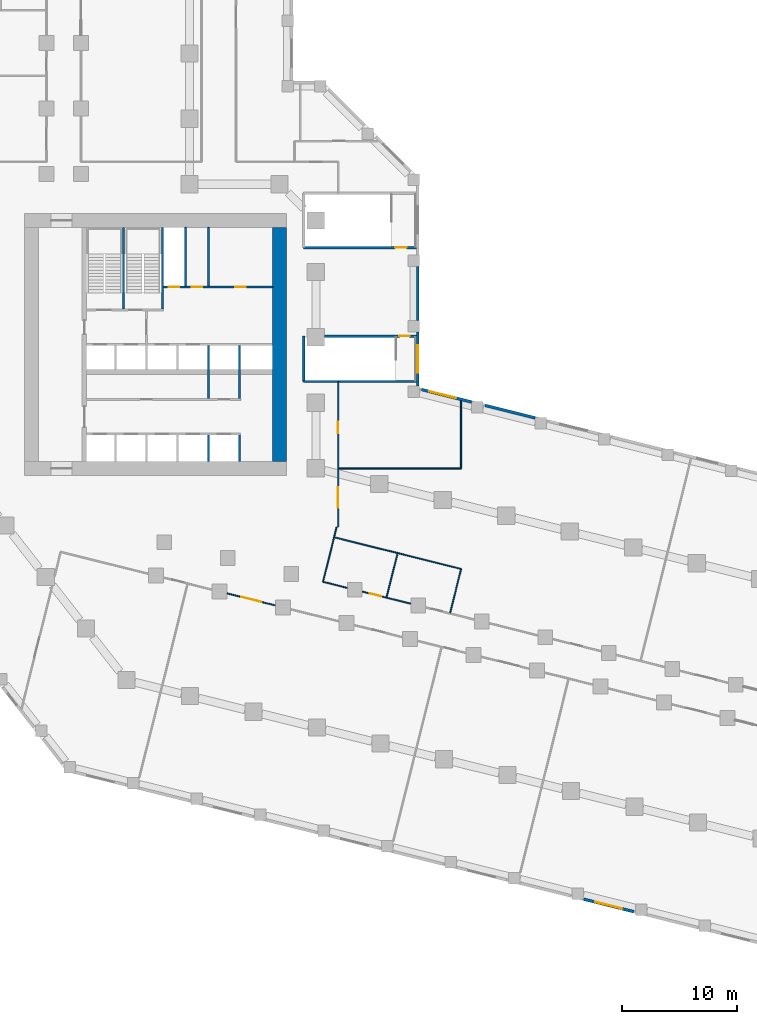
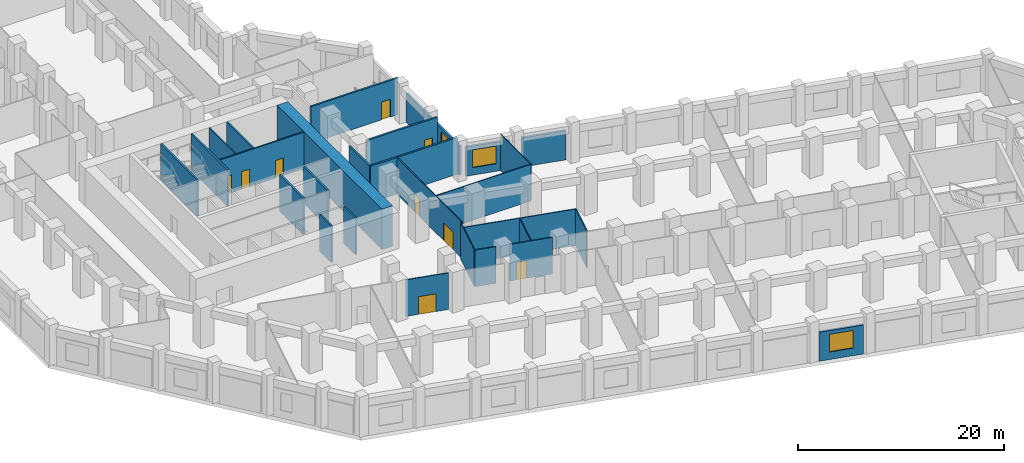
# One storey, part 6 of 13: 30 walls, 9 doors, 3 windows, 12 openings.
"""IFC4 building model written with IfcOpenShell, lengths in metres."""

from ifc_helpers import new_model, si_unit, direction, frame, frame_2d, origin, place, context, subcontext, project, spatial, rectangle, extrude, material, layer, layer_set, type_object, element, fill, save


model = new_model("IFC4")

# Units and contexts
model_context = context("Model", 3, precision=1e-05, world=origin(), true_north=direction((0.0, 1.0)))
body_context = subcontext(model_context, "Body", "Model", "MODEL_VIEW")
ifc_project = project(units=[si_unit("LENGTHUNIT", "METRE"), si_unit("AREAUNIT", "SQUARE_METRE"), si_unit("VOLUMEUNIT", "CUBIC_METRE"), si_unit("PLANEANGLEUNIT", "RADIAN"), si_unit("MASSUNIT", "GRAM", prefix="KILO")], contexts=[model_context])

# Site, building, storey
site_placement = place(None, origin())
site = spatial("IfcSite", under=ifc_project, at=site_placement, CompositionType="ELEMENT")
building_placement = place(site_placement, origin())
building = spatial("IfcBuilding", under=site, at=building_placement, Name="Meshkara Civic Tower", CompositionType="ELEMENT")
storey_placement = place(building_placement, frame((0.0, 0.0, 28.199951171875)))
storey = spatial("IfcBuildingStorey", under=building, at=storey_placement, Name="L05", CompositionType="ELEMENT", Elevation=28.199951171875)

# Wall, openings, doors
ifc_material_1 = material(Name="Blockwork", Category="masonry")
ifc_layer_1 = layer(ifc_material_1, 0.14990234375)
ifc_layer_set_1 = layer_set([ifc_layer_1], Name="Core partition 150")
wall_type_1 = type_object("IfcWallType", Name="Core partition 150", PredefinedType="PARTITIONING", material=ifc_layer_set_1)
wall_1_placement = place(storey_placement, frame((20.10009765625, 30.5, 0.0), z_axis=(0.0, 0.0, 1.0), x_axis=(1.0, 0.0, 0.0)))
wall_1 = element("IfcWall", 1, at=wall_1_placement, inside=storey, type_object=wall_type_1, Name="L05-C010", PredefinedType="PARTITIONING", context=body_context, shape_type="SweptSolid", body=[
    extrude(rectangle(XDim=9.5, YDim=0.14990234375, at=frame_2d((4.75, 0.0))), origin(), (0.0, 0.0, 1.0), 4.35009765625),
])
opening_1_placement = place(wall_1_placement, frame((0.449951171875, 0.0, 0.0)))
opening_1 = element("IfcOpeningElement", 2, at=opening_1_placement, cuts=wall_1, Name="Opening L05-K012", PredefinedType="OPENING", context=body_context, shape_type="SweptSolid", body=[
    extrude(rectangle(XDim=0.89990234375, YDim=2.10009765625, at=frame_2d((0.449951171875, 1.050048828125))), frame((0.0, 0.0849609375, 0.0), z_axis=(0.0, -1.0, 0.0), x_axis=(1.0, 0.0, 0.0)), (0.0, 0.0, 1.0), 0.169921875),
])
opening_2_placement = place(wall_1_placement, frame((2.449951171875, 0.0, 0.0)))
opening_2 = element("IfcOpeningElement", 3, at=opening_2_placement, cuts=wall_1, Name="Opening L05-K013", PredefinedType="OPENING", context=body_context, shape_type="SweptSolid", body=[
    extrude(rectangle(XDim=0.89990234375, YDim=2.10009765625, at=frame_2d((0.449951171875, 1.050048828125))), frame((0.0, 0.0849609375, 0.0), z_axis=(0.0, -1.0, 0.0), x_axis=(1.0, 0.0, 0.0)), (0.0, 0.0, 1.0), 0.169921875),
])
opening_3_placement = place(wall_1_placement, frame((6.25, 0.0, 0.0)))
opening_3 = element("IfcOpeningElement", 4, at=opening_3_placement, cuts=wall_1, Name="Opening L05-K014", PredefinedType="OPENING", context=body_context, shape_type="SweptSolid", body=[
    extrude(rectangle(XDim=0.89990234375, YDim=2.10009765625, at=frame_2d((0.449951171875, 1.050048828125))), frame((0.0, 0.0849609375, 0.0), z_axis=(0.0, -1.0, 0.0), x_axis=(1.0, 0.0, 0.0)), (0.0, 0.0, 1.0), 0.169921875),
])
ifc_material_2 = material(Name="Timber door leaf in steel frame", Category="steel")
door_type_1 = type_object("IfcDoorType", Name="Core room door 900", OperationType="SINGLE_SWING_LEFT", PredefinedType="DOOR", material=ifc_material_2)
door_1_placement = place(opening_3_placement, origin())
door_1 = element("IfcDoor", 5, at=door_1_placement, inside=storey, type_object=door_type_1, Name="L05-K014", OperationType="SINGLE_SWING_RIGHT", OverallHeight=2.10009765625, OverallWidth=0.89990234375, PredefinedType="DOOR", context=body_context, shape_type="SweptSolid", body=[
    extrude(rectangle(XDim=0.89990234375, YDim=2.10009765625, at=frame_2d((0.449951171875, 1.050048828125))), frame((0.0, 0.02490234375, 0.0), z_axis=(0.0, -1.0, 0.0), x_axis=(1.0, 0.0, 0.0)), (0.0, 0.0, 1.0), 0.050048828125),
])
fill(opening_3, door_1)
ifc_material_3 = material(Name="Fire-rated door leaf in steel frame", Category="steel")
door_type_2 = type_object("IfcDoorType", Name="Riser door 900", OperationType="SINGLE_SWING_LEFT", PredefinedType="DOOR", material=ifc_material_3)
door_2_placement = place(opening_1_placement, origin())
door_2 = element("IfcDoor", 6, at=door_2_placement, inside=storey, type_object=door_type_2, Name="L05-K012", OperationType="SINGLE_SWING_RIGHT", OverallHeight=2.10009765625, OverallWidth=0.89990234375, PredefinedType="DOOR", context=body_context, shape_type="SweptSolid", body=[
    extrude(rectangle(XDim=0.89990234375, YDim=2.10009765625, at=frame_2d((0.449951171875, 1.050048828125))), frame((0.0, 0.02490234375, 0.0), z_axis=(0.0, -1.0, 0.0), x_axis=(1.0, 0.0, 0.0)), (0.0, 0.0, 1.0), 0.050048828125),
])
fill(opening_1, door_2)
ifc_material_4 = material(Name="Timber door leaf in steel frame", Category="steel")
door_type_3 = type_object("IfcDoorType", Name="WC door 900", OperationType="SINGLE_SWING_LEFT", PredefinedType="DOOR", material=ifc_material_4)
door_3_placement = place(opening_2_placement, origin())
door_3 = element("IfcDoor", 7, at=door_3_placement, inside=storey, type_object=door_type_3, Name="L05-K013", OperationType="SINGLE_SWING_LEFT", OverallHeight=2.10009765625, OverallWidth=0.89990234375, PredefinedType="DOOR", context=body_context, shape_type="SweptSolid", body=[
    extrude(rectangle(XDim=0.89990234375, YDim=2.10009765625, at=frame_2d((0.449951171875, 1.050048828125))), frame((0.0, 0.02490234375, 0.0), z_axis=(0.0, -1.0, 0.0), x_axis=(1.0, 0.0, 0.0)), (0.0, 0.0, 1.0), 0.050048828125),
])
fill(opening_2, door_3)

# Walls
for number, where, z_axis, x_axis, name in (
    (8, (22.0, 30.574951171875, 0.0), (0.0, 0.0, 1.0), (0.0, 1.0, 0.0), "L05-C020"),
    (9, (24.0, 30.574951171875, 0.0), (0.0, 0.0, 1.0), (0.0, 1.0, 0.0), "L05-C023"),
):
    element("IfcWall", number, at=place(storey_placement, frame(where, z_axis=z_axis, x_axis=x_axis)), inside=storey, type_object=wall_type_1, Name=name, PredefinedType="PARTITIONING", context=body_context, shape_type="SweptSolid", body=[
        extrude(rectangle(XDim=5.125, YDim=0.14990234375, at=frame_2d((2.5625, 0.0))), origin(), (0.0, 0.0, 1.0), 4.35009765625),
    ])
ifc_material_5 = material(Name="Concrete C80", Category="concrete")
ifc_layer_2 = layer(ifc_material_5, 1.199951171875)
ifc_layer_set_2 = layer_set([ifc_layer_2], Name="Core ring wall 1200 C80")
wall_type_2 = type_object("IfcWallType", Name="Core ring wall 1200 C80", PredefinedType="SHEAR", material=ifc_layer_set_2)
wall_2_placement = place(storey_placement, frame((30.199951171875, 15.300048828125, -0.449951171875), z_axis=(0.0, 0.0, 1.0), x_axis=(0.0, 1.0, 0.0)))
element("IfcWall", 10, at=wall_2_placement, inside=storey, type_object=wall_type_2, Name="L05-C004", PredefinedType="SHEAR", context=body_context, shape_type="SweptSolid", body=[
    extrude(rectangle(XDim=20.39990234375, YDim=1.199951171875, at=frame_2d((10.199951171875, 0.0))), origin(), (0.0, 0.0, 1.0), 4.800048828125),
])

# Wall, opening, door
ifc_material_6 = material(Name="Corridor wall 100")
ifc_layer_3 = layer(ifc_material_6, 0.10009765625)
ifc_layer_set_3 = layer_set([ifc_layer_3], Name="Corridor wall 100")
wall_type_3 = type_object("IfcWallType", Name="Corridor wall 100", PredefinedType="PARTITIONING", material=ifc_layer_set_3)
wall_3_placement = place(storey_placement, frame((25.6240234375, 3.81494140625, 0.0), z_axis=(0.0, 0.0, 1.0), x_axis=(0.970295255208, -0.241923784941, 0.0)))
wall_3 = element("IfcWall", 11, at=wall_3_placement, inside=storey, type_object=wall_type_3, Name="L05-R038", PredefinedType="PARTITIONING", context=body_context, shape_type="SweptSolid", body=[
    extrude(rectangle(XDim=4.3193359375, YDim=0.10009765625, at=frame_2d((2.15966796875, 0.0))), origin(), (0.0, 0.0, 1.0), 4.35009765625),
])
opening_4_placement = place(wall_3_placement, frame((1.280029296875, 0.0, 0.0)))
opening_4 = element("IfcOpeningElement", 12, at=opening_4_placement, cuts=wall_3, Name="Opening L05-P016", PredefinedType="OPENING", context=body_context, shape_type="SweptSolid", body=[
    extrude(rectangle(XDim=1.800048828125, YDim=2.10009765625, at=frame_2d((0.89990234375, 1.050048828125))), frame((0.0, 0.06005859375, 0.0), z_axis=(0.0, -1.0, 0.0), x_axis=(1.0, 0.0, 0.0)), (0.0, 0.0, 1.0), 0.1201171875),
])
ifc_material_7 = material(Name="Door pair 1800 x 2100")
door_type_4 = type_object("IfcDoorType", Name="Door pair 1800 x 2100", OperationType="SINGLE_SWING_LEFT", PredefinedType="DOOR", material=ifc_material_7)
door_4_placement = place(opening_4_placement, origin())
door_4 = element("IfcDoor", 13, at=door_4_placement, inside=storey, type_object=door_type_4, Name="L05-P016", OperationType="DOUBLE_DOOR_SINGLE_SWING", OverallHeight=2.10009765625, OverallWidth=1.800048828125, PredefinedType="DOOR", context=body_context, shape_type="SweptSolid", body=[
    extrude(rectangle(XDim=1.800048828125, YDim=2.10009765625, at=frame_2d((0.89990234375, 1.050048828125))), frame((0.0, 0.02490234375, 0.0), z_axis=(0.0, -1.0, 0.0), x_axis=(1.0, 0.0, 0.0)), (0.0, 0.0, 1.0), 0.050048828125),
])
fill(opening_4, door_4)

# Wall
wall_4_placement = place(storey_placement, frame((33.97607421875, 4.823974609375, 0.0), z_axis=(0.0, 0.0, 1.0), x_axis=(0.241940400058, 0.970291112409, 0.0)))
element("IfcWall", 14, at=wall_4_placement, inside=storey, type_object=wall_type_3, Name="L05-R046", PredefinedType="PARTITIONING", context=body_context, shape_type="SweptSolid", body=[
    extrude(rectangle(XDim=4.92236328125, YDim=0.10009765625, at=frame_2d((2.461181640625, 0.0))), origin(), (0.0, 0.0, 1.0), 4.35009765625),
])

# Wall, openings, doors
wall_5_placement = place(storey_placement, frame((35.300048828125, 9.60009765625, 0.0), z_axis=(0.0, 0.0, 1.0), x_axis=(0.0, 1.0, 0.0)))
wall_5 = element("IfcWall", 15, at=wall_5_placement, inside=storey, type_object=wall_type_3, Name="L05-R048", PredefinedType="PARTITIONING", context=body_context, shape_type="SweptSolid", body=[
    extrude(rectangle(XDim=12.6748046875, YDim=0.10009765625, at=frame_2d((6.33740234375, 0.0))), origin(), (0.0, 0.0, 1.0), 4.35009765625),
])
opening_5_placement = place(wall_5_placement, frame((1.679931640625, 0.0, 0.0)))
opening_5 = element("IfcOpeningElement", 16, at=opening_5_placement, cuts=wall_5, Name="Opening L05-P021", PredefinedType="OPENING", context=body_context, shape_type="SweptSolid", body=[
    extrude(rectangle(XDim=1.800048828125, YDim=2.10009765625, at=frame_2d((0.89990234375, 1.050048828125))), frame((0.0, 0.06005859375, 0.0), z_axis=(0.0, -1.0, 0.0), x_axis=(1.0, 0.0, 0.0)), (0.0, 0.0, 1.0), 0.1201171875),
])
opening_6_placement = place(wall_5_placement, frame((8.179931640625, 0.0, 0.0)))
opening_6 = element("IfcOpeningElement", 17, at=opening_6_placement, cuts=wall_5, Name="Opening L05-P022", PredefinedType="OPENING", context=body_context, shape_type="SweptSolid", body=[
    extrude(rectangle(XDim=1.0, YDim=2.10009765625, at=frame_2d((0.5, 1.050048828125))), frame((0.0, 0.06005859375, 0.0), z_axis=(0.0, -1.0, 0.0), x_axis=(1.0, 0.0, 0.0)), (0.0, 0.0, 1.0), 0.1201171875),
])
ifc_material_8 = material(Name="Door 1000 x 2100")
door_type_5 = type_object("IfcDoorType", Name="Door 1000 x 2100", OperationType="SINGLE_SWING_LEFT", PredefinedType="DOOR", material=ifc_material_8)
door_5_placement = place(opening_6_placement, origin())
door_5 = element("IfcDoor", 18, at=door_5_placement, inside=storey, type_object=door_type_5, Name="L05-P022", OperationType="SINGLE_SWING_LEFT", OverallHeight=2.10009765625, OverallWidth=1.0, PredefinedType="DOOR", context=body_context, shape_type="SweptSolid", body=[
    extrude(rectangle(XDim=1.0, YDim=2.10009765625, at=frame_2d((0.5, 1.050048828125))), frame((0.0, 0.02490234375, 0.0), z_axis=(0.0, -1.0, 0.0), x_axis=(1.0, 0.0, 0.0)), (0.0, 0.0, 1.0), 0.050048828125),
])
fill(opening_6, door_5)
door_6_placement = place(opening_5_placement, origin())
door_6 = element("IfcDoor", 19, at=door_6_placement, inside=storey, type_object=door_type_4, Name="L05-P021", OperationType="DOUBLE_DOOR_SINGLE_SWING", OverallHeight=2.10009765625, OverallWidth=1.800048828125, PredefinedType="DOOR", context=body_context, shape_type="SweptSolid", body=[
    extrude(rectangle(XDim=1.800048828125, YDim=2.10009765625, at=frame_2d((0.89990234375, 1.050048828125))), frame((0.0, 0.02490234375, 0.0), z_axis=(0.0, -1.0, 0.0), x_axis=(1.0, 0.0, 0.0)), (0.0, 0.0, 1.0), 0.050048828125),
])
fill(opening_5, door_6)

# Wall
wall_6_placement = place(storey_placement, frame((36.072021484375, 4.301025390625, 0.0), z_axis=(0.0, 0.0, 1.0), x_axis=(-0.970255412337, 0.242083528623, 0.0)))
element("IfcWall", 20, at=wall_6_placement, inside=storey, type_object=wall_type_3, Name="L05-R051", PredefinedType="PARTITIONING", context=body_context, shape_type="SweptSolid", body=[
    extrude(rectangle(XDim=2.16015625, YDim=0.10009765625, at=frame_2d((1.080078125, 0.0))), origin(), (0.0, 0.0, 1.0), 4.35009765625),
])

# Wall, opening, door
wall_7_placement = place(storey_placement, frame((37.412109375, 3.967041015625, 0.0), z_axis=(0.0, 0.0, 1.0), x_axis=(0.970335093604, -0.241763947107, 0.0)))
wall_7 = element("IfcWall", 21, at=wall_7_placement, inside=storey, type_object=wall_type_3, Name="L05-R053", PredefinedType="PARTITIONING", context=body_context, shape_type="SweptSolid", body=[
    extrude(rectangle(XDim=4.318115234375, YDim=0.10009765625, at=frame_2d((2.1591796875, 0.0))), origin(), (0.0, 0.0, 1.0), 4.35009765625),
])
opening_7_placement = place(wall_7_placement, frame((0.679931640625, 0.0, 0.0)))
opening_7 = element("IfcOpeningElement", 22, at=opening_7_placement, cuts=wall_7, Name="Opening L05-P017", PredefinedType="OPENING", context=body_context, shape_type="SweptSolid", body=[
    extrude(rectangle(XDim=1.0, YDim=2.10009765625, at=frame_2d((0.5, 1.050048828125))), frame((0.0, 0.06005859375, 0.0), z_axis=(0.0, -1.0, 0.0), x_axis=(1.0, 0.0, 0.0)), (0.0, 0.0, 1.0), 0.1201171875),
])
door_7_placement = place(opening_7_placement, origin())
door_7 = element("IfcDoor", 23, at=door_7_placement, inside=storey, type_object=door_type_5, Name="L05-P017", OperationType="SINGLE_SWING_RIGHT", OverallHeight=2.10009765625, OverallWidth=1.0, PredefinedType="DOOR", context=body_context, shape_type="SweptSolid", body=[
    extrude(rectangle(XDim=1.0, YDim=2.10009765625, at=frame_2d((0.5, 1.050048828125))), frame((0.0, 0.02490234375, 0.0), z_axis=(0.0, -1.0, 0.0), x_axis=(1.0, 0.0, 0.0)), (0.0, 0.0, 1.0), 0.050048828125),
])
fill(opening_7, door_7)

# Wall, opening, window
ifc_material_9 = material(Name="Stone cladding on insulated backing wall", Category="masonry")
ifc_layer_4 = layer(ifc_material_9, 0.25)
ifc_layer_set_4 = layer_set([ifc_layer_4], Name="PODIUM STONE WALL 250")
wall_type_4 = type_object("IfcWallType", Name="PODIUM STONE WALL 250", PredefinedType="SOLIDWALL", material=ifc_layer_set_4)
wall_8_placement = place(storey_placement, frame((56.680908203125, -22.81494140625, 0.0), z_axis=(0.0, 0.0, 1.0), x_axis=(0.970276766004, -0.241997928406, 0.0)))
wall_8 = element("IfcWall", 24, at=wall_8_placement, inside=storey, type_object=wall_type_4, Name="Podium external wall", PredefinedType="SOLIDWALL", context=body_context, shape_type="SweptSolid", body=[
    extrude(rectangle(XDim=4.4873046875, YDim=0.25, at=frame_2d((2.24365234375, 0.0))), origin(), (0.0, 0.0, 1.0), 3.449951171875),
])
opening_8_placement = place(wall_8_placement, frame((1.0439453125, 0.0, 0.89990234375)))
opening_8 = element("IfcOpeningElement", 25, at=opening_8_placement, cuts=wall_8, Name="Opening PW10", PredefinedType="OPENING", context=body_context, shape_type="SweptSolid", body=[
    extrude(rectangle(XDim=2.39990234375, YDim=2.10009765625, at=frame_2d((1.199951171875, 1.050048828125))), frame((0.0, 0.135009765625, 0.0), z_axis=(0.0, -1.0, 0.0), x_axis=(1.0, 0.0, 0.0)), (0.0, 0.0, 1.0), 0.27001953125),
])
ifc_material_10 = material(Name="Tinted double glazing", Category="glass")
window_type = type_object("IfcWindowType", Name="PODIUM WINDOW 2400x2100", PartitioningType="DOUBLE_PANEL_VERTICAL", PredefinedType="WINDOW", material=ifc_material_10)
window_1_placement = place(opening_8_placement, origin())
window_1 = element("IfcWindow", 26, at=window_1_placement, inside=storey, type_object=window_type, Name="Podium window", OverallHeight=2.10009765625, OverallWidth=2.39990234375, PartitioningType="DOUBLE_PANEL_VERTICAL", PredefinedType="WINDOW", context=body_context, shape_type="SweptSolid", body=[
    extrude(rectangle(XDim=2.39990234375, YDim=2.10009765625, at=frame_2d((1.199951171875, 1.050048828125))), frame((0.0, 0.030029296875, 0.0), z_axis=(0.0, -1.0, 0.0), x_axis=(1.0, 0.0, 0.0)), (0.0, 0.0, 1.0), 0.06005859375),
])
fill(opening_8, window_1)

# Wall
wall_9_placement = place(storey_placement, frame((52.451904296875, 19.10302734375, 0.0), z_axis=(0.0, 0.0, 1.0), x_axis=(-0.970276766004, 0.241997928406, 0.0)))
element("IfcWall", 27, at=wall_9_placement, inside=storey, type_object=wall_type_4, Name="Podium external wall", PredefinedType="SOLIDWALL", context=body_context, shape_type="SweptSolid", body=[
    extrude(rectangle(XDim=4.4873046875, YDim=0.25, at=frame_2d((2.24365234375, 0.0))), origin(), (0.0, 0.0, 1.0), 3.449951171875),
])

# Wall, opening, window
wall_10_placement = place(storey_placement, frame((46.922119140625, 20.48193359375, 0.0), z_axis=(0.0, 0.0, 1.0), x_axis=(-0.970279921141, 0.241985277715, 0.0)))
wall_10 = element("IfcWall", 28, at=wall_10_placement, inside=storey, type_object=wall_type_4, Name="Podium external wall", PredefinedType="SOLIDWALL", context=body_context, shape_type="SweptSolid", body=[
    extrude(rectangle(XDim=4.488525390625, YDim=0.25, at=frame_2d((2.244140625, 0.0))), origin(), (0.0, 0.0, 1.0), 3.449951171875),
])
opening_9_placement = place(wall_10_placement, frame((1.39697265625, 0.0, 0.89990234375)))
opening_9 = element("IfcOpeningElement", 29, at=opening_9_placement, cuts=wall_10, Name="Opening PW10", PredefinedType="OPENING", context=body_context, shape_type="SweptSolid", body=[
    extrude(rectangle(XDim=2.39990234375, YDim=2.10009765625, at=frame_2d((1.199951171875, 1.050048828125))), frame((0.0, 0.135009765625, 0.0), z_axis=(0.0, -1.0, 0.0), x_axis=(1.0, 0.0, 0.0)), (0.0, 0.0, 1.0), 0.27001953125),
])
window_2_placement = place(opening_9_placement, origin())
window_2 = element("IfcWindow", 30, at=window_2_placement, inside=storey, type_object=window_type, Name="Podium window", OverallHeight=2.10009765625, OverallWidth=2.39990234375, PartitioningType="DOUBLE_PANEL_VERTICAL", PredefinedType="WINDOW", context=body_context, shape_type="SweptSolid", body=[
    extrude(rectangle(XDim=2.39990234375, YDim=2.10009765625, at=frame_2d((1.199951171875, 1.050048828125))), frame((0.0, 0.030029296875, 0.0), z_axis=(0.0, -1.0, 0.0), x_axis=(1.0, 0.0, 0.0)), (0.0, 0.0, 1.0), 0.06005859375),
])
fill(opening_9, window_2)

wall_11_placement = place(storey_placement, frame((42.22509765625, 21.89892578125, 0.0), z_axis=(0.0, 0.0, 1.0), x_axis=(0.0, 1.0, 0.0)))
wall_11 = element("IfcWall", 31, at=wall_11_placement, inside=storey, type_object=wall_type_4, Name="Podium external wall", PredefinedType="SOLIDWALL", context=body_context, shape_type="SweptSolid", body=[
    extrude(rectangle(XDim=4.7001953125, YDim=0.25, at=frame_2d((2.35009765625, 0.0))), origin(), (0.0, 0.0, 1.0), 3.449951171875),
])
opening_10_placement = place(wall_11_placement, frame((1.14990234375, 0.0, 0.89990234375)))
opening_10 = element("IfcOpeningElement", 32, at=opening_10_placement, cuts=wall_11, Name="Opening PW10", PredefinedType="OPENING", context=body_context, shape_type="SweptSolid", body=[
    extrude(rectangle(XDim=2.39990234375, YDim=2.10009765625, at=frame_2d((1.199951171875, 1.050048828125))), frame((0.0, 0.135009765625, 0.0), z_axis=(0.0, -1.0, 0.0), x_axis=(1.0, 0.0, 0.0)), (0.0, 0.0, 1.0), 0.27001953125),
])
window_3_placement = place(opening_10_placement, origin())
window_3 = element("IfcWindow", 33, at=window_3_placement, inside=storey, type_object=window_type, Name="Podium window", OverallHeight=2.10009765625, OverallWidth=2.39990234375, PartitioningType="DOUBLE_PANEL_VERTICAL", PredefinedType="WINDOW", context=body_context, shape_type="SweptSolid", body=[
    extrude(rectangle(XDim=2.39990234375, YDim=2.10009765625, at=frame_2d((1.199951171875, 1.050048828125))), frame((0.0, 0.030029296875, 0.0), z_axis=(0.0, -1.0, 0.0), x_axis=(1.0, 0.0, 0.0)), (0.0, 0.0, 1.0), 0.06005859375),
])
fill(opening_10, window_3)

# Walls
wall_12_placement = place(storey_placement, frame((42.22509765625, 27.59912109375, 0.0), z_axis=(0.0, 0.0, 1.0), x_axis=(0.0, 1.0, 0.0)))
element("IfcWall", 34, at=wall_12_placement, inside=storey, type_object=wall_type_4, Name="Podium external wall", PredefinedType="SOLIDWALL", context=body_context, shape_type="SweptSolid", body=[
    extrude(rectangle(XDim=4.699951171875, YDim=0.25, at=frame_2d((2.35009765625, 0.0))), origin(), (0.0, 0.0, 1.0), 3.449951171875),
])
ifc_material_11 = material(Name="Partition 100")
ifc_layer_5 = layer(ifc_material_11, 0.10009765625)
ifc_layer_set_5 = layer_set([ifc_layer_5], Name="Partition 100")
wall_type_5 = type_object("IfcWallType", Name="Partition 100", PredefinedType="PARTITIONING", material=ifc_layer_set_5)
wall_13_placement = place(storey_placement, frame((34.992919921875, 8.693115234375, 0.0), z_axis=(0.0, 0.0, 1.0), x_axis=(0.97029161727, -0.241938375328, 0.0)))
element("IfcWall", 35, at=wall_13_placement, inside=storey, type_object=wall_type_5, Name="L05-R098", PredefinedType="PARTITIONING", context=body_context, shape_type="SweptSolid", body=[
    extrude(rectangle(XDim=11.350341796875, YDim=0.10009765625, at=frame_2d((5.67529296875, 0.0))), origin(), (0.0, 0.0, 1.0), 4.35009765625),
])
wall_14_placement = place(storey_placement, frame((35.35009765625, 14.699951171875, 0.0), z_axis=(0.0, 0.0, 1.0), x_axis=(1.0, 0.0, 0.0)))
element("IfcWall", 36, at=wall_14_placement, inside=storey, type_object=wall_type_5, Name="L05-R100", PredefinedType="PARTITIONING", context=body_context, shape_type="SweptSolid", body=[
    extrude(rectangle(XDim=10.64990234375, YDim=0.10009765625, at=frame_2d((5.324951171875, 0.0))), origin(), (0.0, 0.0, 1.0), 4.35009765625),
])
wall_15_placement = place(storey_placement, frame((39.51904296875, 3.493896484375, 0.0), z_axis=(0.0, 0.0, 1.0), x_axis=(0.242064152871, 0.970260246478, 0.0)))
element("IfcWall", 37, at=wall_15_placement, inside=storey, type_object=wall_type_5, Name="L05-R101", PredefinedType="PARTITIONING", context=body_context, shape_type="SweptSolid", body=[
    extrude(rectangle(XDim=3.899169921875, YDim=0.10009765625, at=frame_2d((1.94970703125, 0.0))), origin(), (0.0, 0.0, 1.0), 4.35009765625),
])
wall_16_placement = place(storey_placement, frame((45.050048828125, 2.114990234375, 0.0), z_axis=(0.0, 0.0, 1.0), x_axis=(0.242070161495, 0.970258747404, 0.0)))
element("IfcWall", 38, at=wall_16_placement, inside=storey, type_object=wall_type_5, Name="L05-R104", PredefinedType="PARTITIONING", context=body_context, shape_type="SweptSolid", body=[
    extrude(rectangle(XDim=3.949462890625, YDim=0.10009765625, at=frame_2d((1.974609375, 0.0))), origin(), (0.0, 0.0, 1.0), 4.35009765625),
])
wall_17_placement = place(storey_placement, frame((46.0, 14.699951171875, 0.0), z_axis=(0.0, 0.0, 1.0), x_axis=(0.0, 1.0, 0.0)))
element("IfcWall", 39, at=wall_17_placement, inside=storey, type_object=wall_type_5, Name="L05-R105", PredefinedType="PARTITIONING", context=body_context, shape_type="SweptSolid", body=[
    extrude(rectangle(XDim=5.883056640625, YDim=0.10009765625, at=frame_2d((2.94140625, 0.0))), origin(), (0.0, 0.0, 1.0), 4.35009765625),
])
ifc_material_12 = material(Name="Concrete C40/50", Category="concrete")
ifc_layer_6 = layer(ifc_material_12, 0.199951171875)
ifc_layer_set_6 = layer_set([ifc_layer_6], Name="Shaft wall 200 C40/50")
wall_type_6 = type_object("IfcWallType", Name="Shaft wall 200 C40/50", PredefinedType="SOLIDWALL", material=ifc_layer_set_6)
wall_18_placement = place(storey_placement, frame((24.0, 15.300048828125, 0.0), z_axis=(0.0, 0.0, 1.0), x_axis=(0.0, 1.0, 0.0)))
element("IfcWall", 40, at=wall_18_placement, inside=storey, type_object=wall_type_6, Name="L05-C021", PredefinedType="SOLIDWALL", context=body_context, shape_type="SweptSolid", body=[
    extrude(rectangle(XDim=2.300048828125, YDim=0.199951171875, at=frame_2d((1.14990234375, 0.0))), origin(), (0.0, 0.0, 1.0), 4.35009765625),
])
wall_19_placement = place(storey_placement, frame((24.0, 20.77490234375, 0.0), z_axis=(0.0, 0.0, 1.0), x_axis=(0.0, 1.0, 0.0)))
element("IfcWall", 41, at=wall_19_placement, inside=storey, type_object=wall_type_6, Name="L05-C022", PredefinedType="SOLIDWALL", context=body_context, shape_type="SweptSolid", body=[
    extrude(rectangle(XDim=4.625, YDim=0.199951171875, at=frame_2d((2.3125, 0.0))), origin(), (0.0, 0.0, 1.0), 4.35009765625),
])
wall_20_placement = place(storey_placement, frame((26.699951171875, 15.300048828125, 0.0), z_axis=(0.0, 0.0, 1.0), x_axis=(0.0, 1.0, 0.0)))
element("IfcWall", 42, at=wall_20_placement, inside=storey, type_object=wall_type_6, Name="L05-C024", PredefinedType="SOLIDWALL", context=body_context, shape_type="SweptSolid", body=[
    extrude(rectangle(XDim=2.300048828125, YDim=0.199951171875, at=frame_2d((1.14990234375, 0.0))), origin(), (0.0, 0.0, 1.0), 4.35009765625),
])
wall_21_placement = place(storey_placement, frame((26.699951171875, 20.77490234375, 0.0), z_axis=(0.0, 0.0, 1.0), x_axis=(0.0, 1.0, 0.0)))
element("IfcWall", 43, at=wall_21_placement, inside=storey, type_object=wall_type_6, Name="L05-C025", PredefinedType="SOLIDWALL", context=body_context, shape_type="SweptSolid", body=[
    extrude(rectangle(XDim=4.625, YDim=0.199951171875, at=frame_2d((2.3125, 0.0))), origin(), (0.0, 0.0, 1.0), 4.35009765625),
])
ifc_material_13 = material(Name="Concrete C40/50", Category="concrete")
ifc_layer_7 = layer(ifc_material_13, 0.199951171875)
ifc_layer_set_7 = layer_set([ifc_layer_7], Name="Stair enclosure wall 200 C40/50")
wall_type_7 = type_object("IfcWallType", Name="Stair enclosure wall 200 C40/50", PredefinedType="SOLIDWALL", material=ifc_layer_set_7)
for number, where, z_axis, x_axis, name in (
    (44, (16.60009765625, 28.60009765625, 0.0), (0.0, 0.0, 1.0), (0.0, 1.0, 0.0), "L05-C014"),
    (45, (20.0, 28.60009765625, 0.0), (0.0, 0.0, 1.0), (0.0, 1.0, 0.0), "L05-C017"),
):
    element("IfcWall", number, at=place(storey_placement, frame(where, z_axis=z_axis, x_axis=x_axis)), inside=storey, type_object=wall_type_7, Name=name, PredefinedType="SOLIDWALL", context=body_context, shape_type="SweptSolid", body=[
        extrude(rectangle(XDim=7.099853515625, YDim=0.199951171875, at=frame_2d((3.5498046875, 0.0))), origin(), (0.0, 0.0, 1.0), 4.35009765625),
    ])
wall_22_placement = place(storey_placement, frame((32.300048828125, 22.27490234375, 0.0), z_axis=(0.0, 0.0, 1.0), x_axis=(0.0, 1.0, 0.0)))
element("IfcWall", 46, at=wall_22_placement, inside=storey, type_object=wall_type_7, Name="L05-R043", PredefinedType="SOLIDWALL", context=body_context, shape_type="SweptSolid", body=[
    extrude(rectangle(XDim=3.9501953125, YDim=0.199951171875, at=frame_2d((1.97509765625, 0.0))), origin(), (0.0, 0.0, 1.0), 4.35009765625),
])

# Wall, opening, door
wall_23_placement = place(storey_placement, frame((34.1201171875, 26.22509765625, 0.0), z_axis=(0.0, 0.0, 1.0), x_axis=(1.0, 0.0, 0.0)))
wall_23 = element("IfcWall", 47, at=wall_23_placement, inside=storey, type_object=wall_type_7, Name="L05-R047", PredefinedType="SOLIDWALL", context=body_context, shape_type="SweptSolid", body=[
    extrude(rectangle(XDim=7.97998046875, YDim=0.199951171875, at=frame_2d((3.989990234375, 0.0))), origin(), (0.0, 0.0, 1.0), 4.35009765625),
])
opening_11_placement = place(wall_23_placement, frame((6.5, 0.0, 0.0)))
opening_11 = element("IfcOpeningElement", 48, at=opening_11_placement, cuts=wall_23, Name="Opening L05-P024", PredefinedType="OPENING", context=body_context, shape_type="SweptSolid", body=[
    extrude(rectangle(XDim=0.89990234375, YDim=2.10009765625, at=frame_2d((0.449951171875, 1.050048828125))), frame((0.0, 0.10986328125, 0.0), z_axis=(0.0, -1.0, 0.0), x_axis=(1.0, 0.0, 0.0)), (0.0, 0.0, 1.0), 0.219970703125),
])
door_8_placement = place(opening_11_placement, origin())
door_8 = element("IfcDoor", 49, at=door_8_placement, inside=storey, type_object=door_type_5, Name="L05-P024", OperationType="SINGLE_SWING_LEFT", OverallHeight=2.10009765625, OverallWidth=0.89990234375, PredefinedType="DOOR", context=body_context, shape_type="SweptSolid", body=[
    extrude(rectangle(XDim=0.89990234375, YDim=2.10009765625, at=frame_2d((0.449951171875, 1.050048828125))), frame((0.0, 0.02490234375, 0.0), z_axis=(0.0, -1.0, 0.0), x_axis=(1.0, 0.0, 0.0)), (0.0, 0.0, 1.0), 0.050048828125),
])
fill(opening_11, door_8)

# Wall
wall_24_placement = place(storey_placement, frame((35.300048828125, 22.27490234375, 0.0), z_axis=(0.0, 0.0, 1.0), x_axis=(-1.0, 0.0, 0.0)))
element("IfcWall", 50, at=wall_24_placement, inside=storey, type_object=wall_type_7, Name="L05-R049", PredefinedType="SOLIDWALL", context=body_context, shape_type="SweptSolid", body=[
    extrude(rectangle(XDim=3.0, YDim=0.199951171875, at=frame_2d((1.5, 0.0))), origin(), (0.0, 0.0, 1.0), 4.35009765625),
])

# Wall, opening, door
wall_25_placement = place(storey_placement, frame((42.10009765625, 33.925048828125, 0.0), z_axis=(0.0, 0.0, 1.0), x_axis=(-1.0, 0.0, 0.0)))
wall_25 = element("IfcWall", 51, at=wall_25_placement, inside=storey, type_object=wall_type_7, Name="L05-R054", PredefinedType="SOLIDWALL", context=body_context, shape_type="SweptSolid", body=[
    extrude(rectangle(XDim=9.800048828125, YDim=0.199951171875, at=frame_2d((4.89990234375, 0.0))), origin(), (0.0, 0.0, 1.0), 4.35009765625),
])
opening_12_placement = place(wall_25_placement, frame((0.85009765625, 0.0, 0.0)))
opening_12 = element("IfcOpeningElement", 52, at=opening_12_placement, cuts=wall_25, Name="Opening L05-P025", PredefinedType="OPENING", context=body_context, shape_type="SweptSolid", body=[
    extrude(rectangle(XDim=1.0, YDim=2.10009765625, at=frame_2d((0.5, 1.050048828125))), frame((0.0, 0.10986328125, 0.0), z_axis=(0.0, -1.0, 0.0), x_axis=(1.0, 0.0, 0.0)), (0.0, 0.0, 1.0), 0.219970703125),
])
door_9_placement = place(opening_12_placement, origin())
door_9 = element("IfcDoor", 53, at=door_9_placement, inside=storey, type_object=door_type_5, Name="L05-P025", OperationType="SINGLE_SWING_LEFT", OverallHeight=2.10009765625, OverallWidth=1.0, PredefinedType="DOOR", context=body_context, shape_type="SweptSolid", body=[
    extrude(rectangle(XDim=1.0, YDim=2.10009765625, at=frame_2d((0.5, 1.050048828125))), frame((0.0, 0.02490234375, 0.0), z_axis=(0.0, -1.0, 0.0), x_axis=(1.0, 0.0, 0.0)), (0.0, 0.0, 1.0), 0.050048828125),
])
fill(opening_12, door_9)

# Wall
wall_26_placement = place(storey_placement, frame((35.300048828125, 22.27490234375, 0.0), z_axis=(0.0, 0.0, 1.0), x_axis=(1.0, 0.0, 0.0)))
element("IfcWall", 54, at=wall_26_placement, inside=storey, type_object=wall_type_7, Name="L05-R099", PredefinedType="SOLIDWALL", context=body_context, shape_type="SweptSolid", body=[
    extrude(rectangle(XDim=6.800048828125, YDim=0.199951171875, at=frame_2d((3.39990234375, 0.0))), origin(), (0.0, 0.0, 1.0), 4.35009765625),
])

save(model, "model.ifc")
